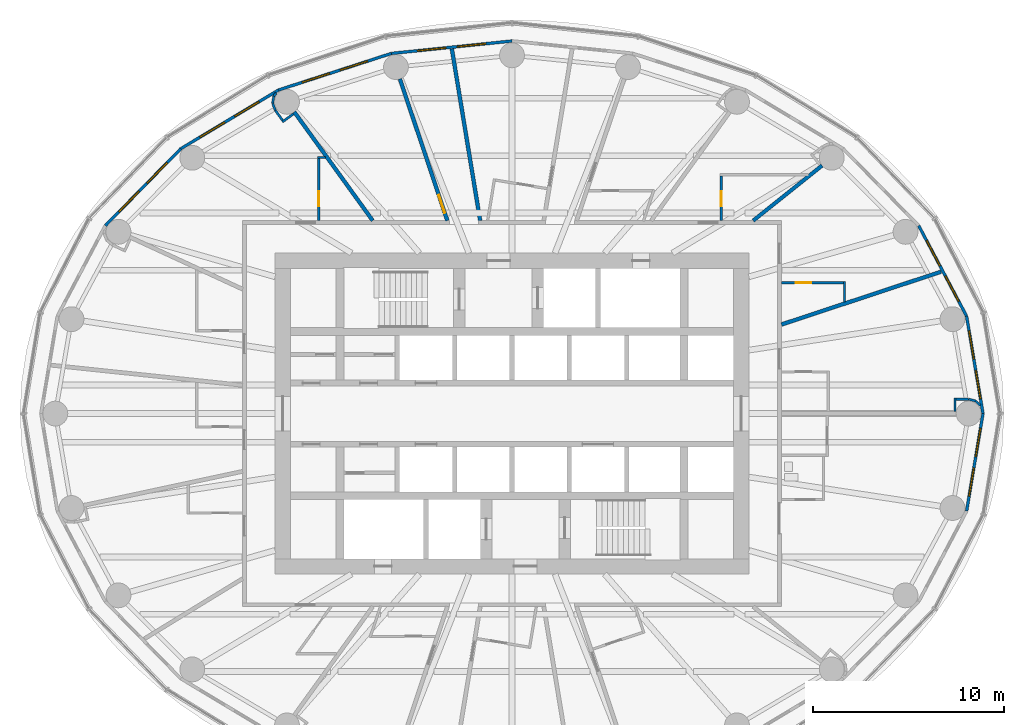
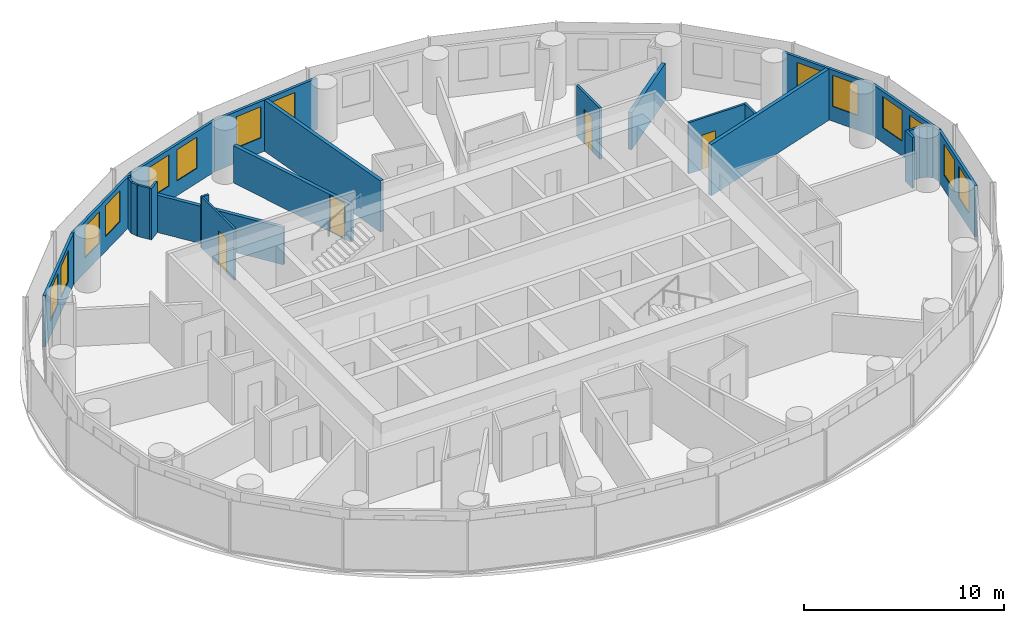
# One storey, part 10 of 13: 26 walls, 14 windows, 4 doors, 18 openings.
"""IFC4 building model written with IfcOpenShell, lengths in metres."""

import ifcopenshell
import ifcopenshell.guid

model = None  # the IFC model being written
_history = None  # IfcOwnerHistory: only IFC2X3 demands one
_inside = {}  # id of a spatial element -> (the spatial element, [elements in it])
_under = {}  # id of a project, library or spatial element -> (it, [spatial elements below it])
_declared = {}  # id of a project -> (the project, [libraries it declares])
_typed = {}  # id of a type object -> (the type object, [elements of that type])
_made_of = {}  # id of a material, layer set ... -> (it, [elements and type objects made of it])


def new_model(schema):
    """Start an empty IFC model of exactly this schema.

    Asked for "IFC4X3", IfcOpenShell would pick the latest addendum, in which some entities
    have other attributes; the version numbers below select the first issue.
    IFC2X3 requires an IfcOwnerHistory on every rooted entity: one is made here for all.
    """
    global model, _history
    if schema == "IFC4X3":
        model = ifcopenshell.file(schema_version=(4, 3, 0, 0))
    else:
        model = ifcopenshell.file(schema=schema)
    _inside.clear()
    _under.clear()
    _declared.clear()
    _typed.clear()
    _made_of.clear()
    _history = None
    if model.schema == "IFC2X3":
        org = make("IfcOrganization", Name="unknown")
        user = make(
            "IfcPersonAndOrganization",
            ThePerson=make("IfcPerson", FamilyName="unknown"),
            TheOrganization=org,
        )
        app = make(
            "IfcApplication",
            ApplicationDeveloper=org,
            Version="unknown",
            ApplicationFullName="unknown",
            ApplicationIdentifier="unknown",
        )
        _history = make(
            "IfcOwnerHistory",
            OwningUser=user,
            OwningApplication=app,
            ChangeAction="ADDED",
            CreationDate=0,
        )
    return model


def make(cls, **values):
    """One entity of the class cls with the attributes given. An attribute that is None is left unset."""
    return model.create_entity(
        cls, **{name: value for name, value in values.items() if value is not None}
    )


def rooted(cls, **values):
    """An entity with a GlobalId (a new one), such as an element, a storey or a relation."""
    return make(cls, GlobalId=ifcopenshell.guid.new(), OwnerHistory=_history, **values)


def si_unit(unit_type, name, prefix=None):
    """IfcSIUnit, for example si_unit("LENGTHUNIT", "METRE", prefix="MILLI")."""
    return make("IfcSIUnit", UnitType=unit_type, Prefix=prefix, Name=name)


def assignment(units):
    """IfcUnitAssignment: the units of a project."""
    return None if units is None else make("IfcUnitAssignment", Units=units)


def point(xyz):
    """IfcCartesianPoint."""
    return None if xyz is None else make("IfcCartesianPoint", Coordinates=xyz)


def direction(xyz):
    """IfcDirection."""
    return None if xyz is None else make("IfcDirection", DirectionRatios=xyz)


def frame(location, z_axis=None, x_axis=None):
    """IfcAxis2Placement3D, a coordinate frame: its origin and axes. An axis left out is left unset."""
    return make(
        "IfcAxis2Placement3D",
        Location=point(location),
        Axis=direction(z_axis),
        RefDirection=direction(x_axis),
    )


def frame_2d(location, x_axis=None):
    """IfcAxis2Placement2D, a coordinate frame in the plane: its origin and x axis."""
    return make(
        "IfcAxis2Placement2D", Location=point(location), RefDirection=direction(x_axis)
    )


def origin():
    """The frame at (0, 0, 0) with its axes left unset."""
    return frame((0.0, 0.0, 0.0))


def place(relative_to, where):
    """IfcLocalPlacement: puts the frame where relative to a parent placement (None: the world)."""
    return make(
        "IfcLocalPlacement", PlacementRelTo=relative_to, RelativePlacement=where
    )


def context(
    kind, dimensions, precision=None, world=None, true_north=None, identifier=None
):
    """IfcGeometricRepresentationContext, for example the 3D "Model" context."""
    return make(
        "IfcGeometricRepresentationContext",
        ContextIdentifier=identifier,
        ContextType=kind,
        CoordinateSpaceDimension=dimensions,
        Precision=precision,
        WorldCoordinateSystem=world,
        TrueNorth=true_north,
    )


def subcontext(parent, identifier, kind, view, scale=None):
    """IfcGeometricRepresentationSubContext, for example "Body" below "Model"."""
    return make(
        "IfcGeometricRepresentationSubContext",
        ContextIdentifier=identifier,
        ContextType=kind,
        ParentContext=parent,
        TargetScale=scale,
        TargetView=view,
    )


def project(units=None, contexts=None):
    """IfcProject with its units and contexts."""
    return rooted(
        "IfcProject",
        Name="project",
        RepresentationContexts=contexts,
        UnitsInContext=assignment(units),
    )


def spatial(cls, under=None, at=None, **own):
    """A site, building, storey or space (cls), placed at a placement, below another one or the project."""
    s = rooted(cls, ObjectPlacement=at, **own)
    if under is not None:
        _under.setdefault(under.id(), (under, []))[1].append(s)
    return s


def profile(cls, at=None, kind="AREA", **sizes):
    """A parametric profile (cls). Its sizes go by their IFC names, for example OverallWidth=200.0."""
    return make(cls, ProfileType=kind, Position=at, **sizes)


def rectangle(**sizes):
    """IfcRectangleProfileDef."""
    return profile("IfcRectangleProfileDef", **sizes)


def extrude(swept, where, along, depth):
    """IfcExtrudedAreaSolid: the profile swept, set in the frame where, extruded along a direction by depth."""
    return make(
        "IfcExtrudedAreaSolid",
        SweptArea=swept,
        Position=where,
        ExtrudedDirection=direction(along),
        Depth=depth,
    )


def shape(context_of_items, identifier, shape_type, items):
    """IfcShapeRepresentation: the items that make up one representation, for example the "Body"."""
    return make(
        "IfcShapeRepresentation",
        ContextOfItems=context_of_items,
        RepresentationIdentifier=identifier,
        RepresentationType=shape_type,
        Items=items,
    )


def material(Name=None, Category=None):
    """IfcMaterial."""
    return make("IfcMaterial", Name=Name, Category=Category)


def layer(
    of_material, thickness, ventilated=None, Name=None, Category=None, Priority=None
):
    """IfcMaterialLayer: one layer of a wall or slab, of a material (None: an air gap)."""
    return make(
        "IfcMaterialLayer",
        Material=of_material,
        LayerThickness=thickness,
        IsVentilated=ventilated,
        Name=Name,
        Category=Category,
        Priority=Priority,
    )


def layer_set(layers, Name=None):
    """IfcMaterialLayerSet."""
    return make("IfcMaterialLayerSet", MaterialLayers=layers, LayerSetName=Name)


def made_of(thing, what):
    """Note that an element or type object is made of a material, layer set ...; save() writes the relation."""
    if what is not None:
        _made_of.setdefault(what.id(), (what, []))[1].append(thing)
    return thing


def type_object(cls, material=None, **own):
    """A type object (cls), such as IfcWallType, which elements share."""
    return made_of(rooted(cls, **own), material)


def element(
    cls,
    number,
    at=None,
    inside=None,
    cuts=None,
    type_object=None,
    material=None,
    context=None,
    identifier="Body",
    shape_type=None,
    held_by="IfcProductDefinitionShape",
    body=None,
    shapes=None,
    **own,
):
    """One element of the class cls, such as IfcWall. Its Tag is "e" and its number.

    at: its placement. inside: the storey or other place that contains it. cuts: it is an
    opening in that element (IfcRelVoidsElement). A single representation is given by context,
    identifier, shape_type and body (its items); several are given by shapes. held_by: the class
    of the entity that holds the representations. save() writes the other relations.
    """
    e = rooted(cls, Tag="e%d" % number, ObjectPlacement=at, **own)
    if body is not None:
        shapes = [shape(context, identifier, shape_type, body)]
    if shapes is not None:
        e.Representation = make(held_by, Representations=shapes)
    if inside is not None:
        _inside.setdefault(inside.id(), (inside, []))[1].append(e)
    if cuts is not None:
        rooted(
            "IfcRelVoidsElement", RelatingBuildingElement=cuts, RelatedOpeningElement=e
        )
    if type_object is not None:
        _typed.setdefault(type_object.id(), (type_object, []))[1].append(e)
    return made_of(e, material)


def fill(opening, filler):
    """IfcRelFillsElement: the door or window that sits in an opening."""
    return rooted(
        "IfcRelFillsElement",
        RelatingOpeningElement=opening,
        RelatedBuildingElement=filler,
    )


def aggregate(whole, parts):
    """IfcRelAggregates: a whole, such as a stair, and the parts it consists of."""
    return rooted("IfcRelAggregates", RelatingObject=whole, RelatedObjects=parts)


def save(model, path):
    """Write the relations noted so far, then the file.

    IfcRelAggregates (storeys below a building ...), IfcRelContainedInSpatialStructure (elements
    in a storey), IfcRelDefinesByType, IfcRelAssociatesMaterial and IfcRelDeclares: one each for
    every whole, place, type object, material and project.
    """
    for whole, parts in _under.values():
        aggregate(whole, parts)
    for where, things in _inside.values():
        rooted(
            "IfcRelContainedInSpatialStructure",
            RelatedElements=things,
            RelatingStructure=where,
        )
    for kind, things in _typed.values():
        rooted("IfcRelDefinesByType", RelatedObjects=things, RelatingType=kind)
    for what, things in _made_of.values():
        rooted("IfcRelAssociatesMaterial", RelatedObjects=things, RelatingMaterial=what)
    for by, libraries in _declared.values():
        rooted("IfcRelDeclares", RelatingContext=by, RelatedDefinitions=libraries)
    model.write(path)


model = new_model("IFC4")

# Units and contexts
model_context = context("Model", 3, precision=1e-05, world=origin(), true_north=direction((0.0, 1.0)))
body_context = subcontext(model_context, "Body", "Model", "MODEL_VIEW")
ifc_project = project(units=[si_unit("LENGTHUNIT", "METRE"), si_unit("AREAUNIT", "SQUARE_METRE"), si_unit("VOLUMEUNIT", "CUBIC_METRE"), si_unit("PLANEANGLEUNIT", "RADIAN"), si_unit("MASSUNIT", "GRAM", prefix="KILO")], contexts=[model_context])

# Site, building, storey
site_placement = place(None, origin())
site = spatial("IfcSite", under=ifc_project, at=site_placement, CompositionType="ELEMENT")
building_placement = place(site_placement, origin())
building = spatial("IfcBuilding", under=site, at=building_placement, Name="Hankou Lantern Tower", CompositionType="ELEMENT")
storey_placement = place(building_placement, frame((0.0, 0.0, 105.60009765625)))
storey = spatial("IfcBuildingStorey", under=building, at=storey_placement, Name="L26", CompositionType="ELEMENT", Elevation=105.60009765625)

# Wall, openings, windows
ifc_material_1 = material(Name="Aluminium spandrel panel on steel studs", Category="steel")
ifc_layer_1 = layer(ifc_material_1, 0.14990234375)
ifc_layer_set_1 = layer_set([ifc_layer_1], Name="Aluminium spandrel panel on steel studs")
wall_type_1 = type_object("IfcWallType", Name="EW1 INNER SKIN WALL 150", PredefinedType="ELEMENTEDWALL", material=ifc_layer_set_1)
wall_1_placement = place(storey_placement, frame((24.64990234375, 0.0, 0.0), z_axis=(0.0, 0.0, 1.0), x_axis=(-0.165883894218, 0.986145290329, 0.0)))
wall_1 = element("IfcWall", 1, at=wall_1_placement, inside=storey, type_object=wall_type_1, Name="Inner skin R01-R02 L26", PredefinedType="ELEMENTEDWALL", context=body_context, shape_type="SweptSolid", body=[
    extrude(rectangle(XDim=5.171630859375, YDim=0.14990234375, at=frame_2d((2.5859375, 0.0))), origin(), (0.0, 0.0, 1.0), 3.119873046875),
])
opening_1_placement = place(wall_1_placement, frame((0.785888671875, 0.0, 0.89990234375)))
opening_1 = element("IfcOpeningElement", 2, at=opening_1_placement, cuts=wall_1, Name="Opening W2", PredefinedType="OPENING", context=body_context, shape_type="SweptSolid", body=[
    extrude(rectangle(XDim=1.5, YDim=1.89990234375, at=frame_2d((0.75, 0.949951171875))), frame((0.0, 0.0849609375, 0.0), z_axis=(0.0, -1.0, 0.0), x_axis=(1.0, 0.0, 0.0)), (0.0, 0.0, 1.0), 0.169921875),
])
opening_2_placement = place(wall_1_placement, frame((2.8857421875, 0.0, 0.89990234375)))
opening_2 = element("IfcOpeningElement", 3, at=opening_2_placement, cuts=wall_1, Name="Opening W2", PredefinedType="OPENING", context=body_context, shape_type="SweptSolid", body=[
    extrude(rectangle(XDim=1.5, YDim=1.89990234375, at=frame_2d((0.75, 0.949951171875))), frame((0.0, 0.0849609375, 0.0), z_axis=(0.0, -1.0, 0.0), x_axis=(1.0, 0.0, 0.0)), (0.0, 0.0, 1.0), 0.169921875),
])
ifc_material_2 = material(Name="Aluminium framed double glazed window", Category="aluminium")
window_type = type_object("IfcWindowType", Name="W2 GUEST ROOM WINDOW 1500X1900", PartitioningType="DOUBLE_PANEL_VERTICAL", PredefinedType="WINDOW", material=ifc_material_2)
window_1_placement = place(opening_1_placement, origin())
window_1 = element("IfcWindow", 4, at=window_1_placement, inside=storey, type_object=window_type, Name="Window R01.1 L26", OverallHeight=1.89990234375, OverallWidth=1.5, PartitioningType="SINGLE_PANEL", PredefinedType="WINDOW", context=body_context, shape_type="SweptSolid", body=[
    extrude(rectangle(XDim=1.5, YDim=1.89990234375, at=frame_2d((0.75, 0.949951171875))), frame((0.0, 0.030029296875, 0.0), z_axis=(0.0, -1.0, 0.0), x_axis=(1.0, 0.0, 0.0)), (0.0, 0.0, 1.0), 0.06005859375),
])
fill(opening_1, window_1)
window_2_placement = place(opening_2_placement, origin())
window_2 = element("IfcWindow", 5, at=window_2_placement, inside=storey, type_object=window_type, Name="Window R01.2 L26", OverallHeight=1.89990234375, OverallWidth=1.5, PartitioningType="SINGLE_PANEL", PredefinedType="WINDOW", context=body_context, shape_type="SweptSolid", body=[
    extrude(rectangle(XDim=1.5, YDim=1.89990234375, at=frame_2d((0.75, 0.949951171875))), frame((0.0, 0.030029296875, 0.0), z_axis=(0.0, -1.0, 0.0), x_axis=(1.0, 0.0, 0.0)), (0.0, 0.0, 1.0), 0.06005859375),
])
fill(opening_2, window_2)

wall_2_placement = place(storey_placement, frame((23.7919921875, 5.10009765625, 0.0), z_axis=(0.0, 0.0, 1.0), x_axis=(-0.467814388454, 0.883826735257, 0.0)))
wall_2 = element("IfcWall", 6, at=wall_2_placement, inside=storey, type_object=wall_type_1, Name="Inner skin R02-R03 L26", PredefinedType="ELEMENTEDWALL", context=body_context, shape_type="SweptSolid", body=[
    extrude(rectangle(XDim=5.35400390625, YDim=0.14990234375, at=frame_2d((2.677001953125, 0.0))), origin(), (0.0, 0.0, 1.0), 3.119873046875),
])
opening_3_placement = place(wall_2_placement, frame((0.876953125, 0.0, 0.89990234375)))
opening_3 = element("IfcOpeningElement", 7, at=opening_3_placement, cuts=wall_2, Name="Opening W2", PredefinedType="OPENING", context=body_context, shape_type="SweptSolid", body=[
    extrude(rectangle(XDim=1.5, YDim=1.89990234375, at=frame_2d((0.75, 0.949951171875))), frame((0.0, 0.0849609375, 0.0), z_axis=(0.0, -1.0, 0.0), x_axis=(1.0, 0.0, 0.0)), (0.0, 0.0, 1.0), 0.169921875),
])
opening_4_placement = place(wall_2_placement, frame((2.97705078125, 0.0, 0.89990234375)))
opening_4 = element("IfcOpeningElement", 8, at=opening_4_placement, cuts=wall_2, Name="Opening W2", PredefinedType="OPENING", context=body_context, shape_type="SweptSolid", body=[
    extrude(rectangle(XDim=1.5, YDim=1.89990234375, at=frame_2d((0.75, 0.949951171875))), frame((0.0, 0.0849609375, 0.0), z_axis=(0.0, -1.0, 0.0), x_axis=(1.0, 0.0, 0.0)), (0.0, 0.0, 1.0), 0.169921875),
])
window_3_placement = place(opening_3_placement, origin())
window_3 = element("IfcWindow", 9, at=window_3_placement, inside=storey, type_object=window_type, Name="Window R02.1 L26", OverallHeight=1.89990234375, OverallWidth=1.5, PartitioningType="SINGLE_PANEL", PredefinedType="WINDOW", context=body_context, shape_type="SweptSolid", body=[
    extrude(rectangle(XDim=1.5, YDim=1.89990234375, at=frame_2d((0.75, 0.949951171875))), frame((0.0, 0.030029296875, 0.0), z_axis=(0.0, -1.0, 0.0), x_axis=(1.0, 0.0, 0.0)), (0.0, 0.0, 1.0), 0.06005859375),
])
fill(opening_3, window_3)
window_4_placement = place(opening_4_placement, origin())
window_4 = element("IfcWindow", 10, at=window_4_placement, inside=storey, type_object=window_type, Name="Window R02.2 L26", OverallHeight=1.89990234375, OverallWidth=1.5, PartitioningType="SINGLE_PANEL", PredefinedType="WINDOW", context=body_context, shape_type="SweptSolid", body=[
    extrude(rectangle(XDim=1.5, YDim=1.89990234375, at=frame_2d((0.75, 0.949951171875))), frame((0.0, 0.030029296875, 0.0), z_axis=(0.0, -1.0, 0.0), x_axis=(1.0, 0.0, 0.0)), (0.0, 0.0, 1.0), 0.06005859375),
])
fill(opening_4, window_4)

wall_3_placement = place(storey_placement, frame((0.0, 19.5, 0.0), z_axis=(0.0, 0.0, 1.0), x_axis=(-0.994735690163, -0.102473931887, 0.0)))
wall_3 = element("IfcWall", 11, at=wall_3_placement, inside=storey, type_object=wall_type_1, Name="Inner skin R07-R08 L26", PredefinedType="ELEMENTEDWALL", context=body_context, shape_type="SweptSolid", body=[
    extrude(rectangle(XDim=6.346923828125, YDim=0.14990234375, at=frame_2d((3.17333984375, 0.0))), origin(), (0.0, 0.0, 1.0), 3.119873046875),
])
opening_5_placement = place(wall_3_placement, frame((1.373291015625, 0.0, 0.89990234375)))
opening_5 = element("IfcOpeningElement", 12, at=opening_5_placement, cuts=wall_3, Name="Opening W2", PredefinedType="OPENING", context=body_context, shape_type="SweptSolid", body=[
    extrude(rectangle(XDim=1.5, YDim=1.89990234375, at=frame_2d((0.75, 0.949951171875))), frame((0.0, 0.0849609375, 0.0), z_axis=(0.0, -1.0, 0.0), x_axis=(1.0, 0.0, 0.0)), (0.0, 0.0, 1.0), 0.169921875),
])
opening_6_placement = place(wall_3_placement, frame((3.473388671875, 0.0, 0.89990234375)))
opening_6 = element("IfcOpeningElement", 13, at=opening_6_placement, cuts=wall_3, Name="Opening W2", PredefinedType="OPENING", context=body_context, shape_type="SweptSolid", body=[
    extrude(rectangle(XDim=1.5, YDim=1.89990234375, at=frame_2d((0.75, 0.949951171875))), frame((0.0, 0.0849609375, 0.0), z_axis=(0.0, -1.0, 0.0), x_axis=(1.0, 0.0, 0.0)), (0.0, 0.0, 1.0), 0.169921875),
])
window_5_placement = place(opening_5_placement, origin())
window_5 = element("IfcWindow", 14, at=window_5_placement, inside=storey, type_object=window_type, Name="Window R07.1 L26", OverallHeight=1.89990234375, OverallWidth=1.5, PartitioningType="SINGLE_PANEL", PredefinedType="WINDOW", context=body_context, shape_type="SweptSolid", body=[
    extrude(rectangle(XDim=1.5, YDim=1.89990234375, at=frame_2d((0.75, 0.949951171875))), frame((0.0, 0.030029296875, 0.0), z_axis=(0.0, -1.0, 0.0), x_axis=(1.0, 0.0, 0.0)), (0.0, 0.0, 1.0), 0.06005859375),
])
fill(opening_5, window_5)
window_6_placement = place(opening_6_placement, origin())
window_6 = element("IfcWindow", 15, at=window_6_placement, inside=storey, type_object=window_type, Name="Window R07.2 L26", OverallHeight=1.89990234375, OverallWidth=1.5, PartitioningType="SINGLE_PANEL", PredefinedType="WINDOW", context=body_context, shape_type="SweptSolid", body=[
    extrude(rectangle(XDim=1.5, YDim=1.89990234375, at=frame_2d((0.75, 0.949951171875))), frame((0.0, 0.030029296875, 0.0), z_axis=(0.0, -1.0, 0.0), x_axis=(1.0, 0.0, 0.0)), (0.0, 0.0, 1.0), 0.06005859375),
])
fill(opening_6, window_6)

wall_4_placement = place(storey_placement, frame((-6.3134765625, 18.849609375, 0.0), z_axis=(0.0, 0.0, 1.0), x_axis=(-0.951272691506, -0.308350881944, 0.0)))
wall_4 = element("IfcWall", 16, at=wall_4_placement, inside=storey, type_object=wall_type_1, Name="Inner skin R08-R09 L26", PredefinedType="ELEMENTEDWALL", context=body_context, shape_type="SweptSolid", body=[
    extrude(rectangle(XDim=6.210693359375, YDim=0.14990234375, at=frame_2d((3.10546875, 0.0))), origin(), (0.0, 0.0, 1.0), 3.119873046875),
])
opening_7_placement = place(wall_4_placement, frame((1.305419921875, 0.0, 0.89990234375)))
opening_7 = element("IfcOpeningElement", 17, at=opening_7_placement, cuts=wall_4, Name="Opening W2", PredefinedType="OPENING", context=body_context, shape_type="SweptSolid", body=[
    extrude(rectangle(XDim=1.5, YDim=1.89990234375, at=frame_2d((0.75, 0.949951171875))), frame((0.0, 0.0849609375, 0.0), z_axis=(0.0, -1.0, 0.0), x_axis=(1.0, 0.0, 0.0)), (0.0, 0.0, 1.0), 0.169921875),
])
opening_8_placement = place(wall_4_placement, frame((3.4052734375, 0.0, 0.89990234375)))
opening_8 = element("IfcOpeningElement", 18, at=opening_8_placement, cuts=wall_4, Name="Opening W2", PredefinedType="OPENING", context=body_context, shape_type="SweptSolid", body=[
    extrude(rectangle(XDim=1.5, YDim=1.89990234375, at=frame_2d((0.75, 0.949951171875))), frame((0.0, 0.0849609375, 0.0), z_axis=(0.0, -1.0, 0.0), x_axis=(1.0, 0.0, 0.0)), (0.0, 0.0, 1.0), 0.169921875),
])
window_7_placement = place(opening_7_placement, origin())
window_7 = element("IfcWindow", 19, at=window_7_placement, inside=storey, type_object=window_type, Name="Window R08.1 L26", OverallHeight=1.89990234375, OverallWidth=1.5, PartitioningType="SINGLE_PANEL", PredefinedType="WINDOW", context=body_context, shape_type="SweptSolid", body=[
    extrude(rectangle(XDim=1.5, YDim=1.89990234375, at=frame_2d((0.75, 0.949951171875))), frame((0.0, 0.030029296875, 0.0), z_axis=(0.0, -1.0, 0.0), x_axis=(1.0, 0.0, 0.0)), (0.0, 0.0, 1.0), 0.06005859375),
])
fill(opening_7, window_7)
window_8_placement = place(opening_8_placement, origin())
window_8 = element("IfcWindow", 20, at=window_8_placement, inside=storey, type_object=window_type, Name="Window R08.2 L26", OverallHeight=1.89990234375, OverallWidth=1.5, PartitioningType="SINGLE_PANEL", PredefinedType="WINDOW", context=body_context, shape_type="SweptSolid", body=[
    extrude(rectangle(XDim=1.5, YDim=1.89990234375, at=frame_2d((0.75, 0.949951171875))), frame((0.0, 0.030029296875, 0.0), z_axis=(0.0, -1.0, 0.0), x_axis=(1.0, 0.0, 0.0)), (0.0, 0.0, 1.0), 0.06005859375),
])
fill(opening_8, window_8)

wall_5_placement = place(storey_placement, frame((-12.221435546875, 16.9345703125, 0.0), z_axis=(0.0, 0.0, 1.0), x_axis=(-0.857308573723, -0.514802884044, 0.0)))
wall_5 = element("IfcWall", 21, at=wall_5_placement, inside=storey, type_object=wall_type_1, Name="Inner skin R09-R10 L26", PredefinedType="ELEMENTEDWALL", context=body_context, shape_type="SweptSolid", body=[
    extrude(rectangle(XDim=5.961181640625, YDim=0.14990234375, at=frame_2d((2.98046875, 0.0))), origin(), (0.0, 0.0, 1.0), 3.119873046875),
])
opening_9_placement = place(wall_5_placement, frame((1.1806640625, 0.0, 0.89990234375)))
opening_9 = element("IfcOpeningElement", 22, at=opening_9_placement, cuts=wall_5, Name="Opening W2", PredefinedType="OPENING", context=body_context, shape_type="SweptSolid", body=[
    extrude(rectangle(XDim=1.5, YDim=1.89990234375, at=frame_2d((0.75, 0.949951171875))), frame((0.0, 0.0849609375, 0.0), z_axis=(0.0, -1.0, 0.0), x_axis=(1.0, 0.0, 0.0)), (0.0, 0.0, 1.0), 0.169921875),
])
opening_10_placement = place(wall_5_placement, frame((3.280517578125, 0.0, 0.89990234375)))
opening_10 = element("IfcOpeningElement", 23, at=opening_10_placement, cuts=wall_5, Name="Opening W2", PredefinedType="OPENING", context=body_context, shape_type="SweptSolid", body=[
    extrude(rectangle(XDim=1.5, YDim=1.89990234375, at=frame_2d((0.75, 0.949951171875))), frame((0.0, 0.0849609375, 0.0), z_axis=(0.0, -1.0, 0.0), x_axis=(1.0, 0.0, 0.0)), (0.0, 0.0, 1.0), 0.169921875),
])
window_9_placement = place(opening_9_placement, origin())
window_9 = element("IfcWindow", 24, at=window_9_placement, inside=storey, type_object=window_type, Name="Window R09.1 L26", OverallHeight=1.89990234375, OverallWidth=1.5, PartitioningType="SINGLE_PANEL", PredefinedType="WINDOW", context=body_context, shape_type="SweptSolid", body=[
    extrude(rectangle(XDim=1.5, YDim=1.89990234375, at=frame_2d((0.75, 0.949951171875))), frame((0.0, 0.030029296875, 0.0), z_axis=(0.0, -1.0, 0.0), x_axis=(1.0, 0.0, 0.0)), (0.0, 0.0, 1.0), 0.06005859375),
])
fill(opening_9, window_9)
window_10_placement = place(opening_10_placement, origin())
window_10 = element("IfcWindow", 25, at=window_10_placement, inside=storey, type_object=window_type, Name="Window R09.2 L26", OverallHeight=1.89990234375, OverallWidth=1.5, PartitioningType="SINGLE_PANEL", PredefinedType="WINDOW", context=body_context, shape_type="SweptSolid", body=[
    extrude(rectangle(XDim=1.5, YDim=1.89990234375, at=frame_2d((0.75, 0.949951171875))), frame((0.0, 0.030029296875, 0.0), z_axis=(0.0, -1.0, 0.0), x_axis=(1.0, 0.0, 0.0)), (0.0, 0.0, 1.0), 0.06005859375),
])
fill(opening_10, window_10)

wall_6_placement = place(storey_placement, frame((-17.33203125, 13.86572265625, 0.0), z_axis=(0.0, 0.0, 1.0), x_axis=(-0.700136650834, -0.714008872605, 0.0)))
wall_6 = element("IfcWall", 26, at=wall_6_placement, inside=storey, type_object=wall_type_1, Name="Inner skin R10-R11 L26", PredefinedType="ELEMENTEDWALL", context=body_context, shape_type="SweptSolid", body=[
    extrude(rectangle(XDim=5.6494140625, YDim=0.14990234375, at=frame_2d((2.82470703125, 0.0))), origin(), (0.0, 0.0, 1.0), 3.119873046875),
])
opening_11_placement = place(wall_6_placement, frame((1.024658203125, 0.0, 0.89990234375)))
opening_11 = element("IfcOpeningElement", 27, at=opening_11_placement, cuts=wall_6, Name="Opening W2", PredefinedType="OPENING", context=body_context, shape_type="SweptSolid", body=[
    extrude(rectangle(XDim=1.5, YDim=1.89990234375, at=frame_2d((0.75, 0.949951171875))), frame((0.0, 0.0849609375, 0.0), z_axis=(0.0, -1.0, 0.0), x_axis=(1.0, 0.0, 0.0)), (0.0, 0.0, 1.0), 0.169921875),
])
opening_12_placement = place(wall_6_placement, frame((3.12451171875, 0.0, 0.89990234375)))
opening_12 = element("IfcOpeningElement", 28, at=opening_12_placement, cuts=wall_6, Name="Opening W2", PredefinedType="OPENING", context=body_context, shape_type="SweptSolid", body=[
    extrude(rectangle(XDim=1.5, YDim=1.89990234375, at=frame_2d((0.75, 0.949951171875))), frame((0.0, 0.0849609375, 0.0), z_axis=(0.0, -1.0, 0.0), x_axis=(1.0, 0.0, 0.0)), (0.0, 0.0, 1.0), 0.169921875),
])
window_11_placement = place(opening_11_placement, origin())
window_11 = element("IfcWindow", 29, at=window_11_placement, inside=storey, type_object=window_type, Name="Window R10.1 L26", OverallHeight=1.89990234375, OverallWidth=1.5, PartitioningType="SINGLE_PANEL", PredefinedType="WINDOW", context=body_context, shape_type="SweptSolid", body=[
    extrude(rectangle(XDim=1.5, YDim=1.89990234375, at=frame_2d((0.75, 0.949951171875))), frame((0.0, 0.030029296875, 0.0), z_axis=(0.0, -1.0, 0.0), x_axis=(1.0, 0.0, 0.0)), (0.0, 0.0, 1.0), 0.06005859375),
])
fill(opening_11, window_11)
window_12_placement = place(opening_12_placement, origin())
window_12 = element("IfcWindow", 30, at=window_12_placement, inside=storey, type_object=window_type, Name="Window R10.2 L26", OverallHeight=1.89990234375, OverallWidth=1.5, PartitioningType="SINGLE_PANEL", PredefinedType="WINDOW", context=body_context, shape_type="SweptSolid", body=[
    extrude(rectangle(XDim=1.5, YDim=1.89990234375, at=frame_2d((0.75, 0.949951171875))), frame((0.0, 0.030029296875, 0.0), z_axis=(0.0, -1.0, 0.0), x_axis=(1.0, 0.0, 0.0)), (0.0, 0.0, 1.0), 0.06005859375),
])
fill(opening_12, window_12)

wall_7_placement = place(storey_placement, frame((23.7919921875, -5.10009765625, 0.0), z_axis=(0.0, 0.0, 1.0), x_axis=(0.165883894218, 0.986145290329, 0.0)))
wall_7 = element("IfcWall", 31, at=wall_7_placement, inside=storey, type_object=wall_type_1, Name="Inner skin R24-R01 L26", PredefinedType="ELEMENTEDWALL", context=body_context, shape_type="SweptSolid", body=[
    extrude(rectangle(XDim=5.171630859375, YDim=0.14990234375, at=frame_2d((2.5859375, 0.0))), origin(), (0.0, 0.0, 1.0), 3.119873046875),
])
opening_13_placement = place(wall_7_placement, frame((0.785888671875, 0.0, 0.89990234375)))
opening_13 = element("IfcOpeningElement", 32, at=opening_13_placement, cuts=wall_7, Name="Opening W2", PredefinedType="OPENING", context=body_context, shape_type="SweptSolid", body=[
    extrude(rectangle(XDim=1.5, YDim=1.89990234375, at=frame_2d((0.75, 0.949951171875))), frame((0.0, 0.0849609375, 0.0), z_axis=(0.0, -1.0, 0.0), x_axis=(1.0, 0.0, 0.0)), (0.0, 0.0, 1.0), 0.169921875),
])
opening_14_placement = place(wall_7_placement, frame((2.8857421875, 0.0, 0.89990234375)))
opening_14 = element("IfcOpeningElement", 33, at=opening_14_placement, cuts=wall_7, Name="Opening W2", PredefinedType="OPENING", context=body_context, shape_type="SweptSolid", body=[
    extrude(rectangle(XDim=1.5, YDim=1.89990234375, at=frame_2d((0.75, 0.949951171875))), frame((0.0, 0.0849609375, 0.0), z_axis=(0.0, -1.0, 0.0), x_axis=(1.0, 0.0, 0.0)), (0.0, 0.0, 1.0), 0.169921875),
])
window_13_placement = place(opening_13_placement, origin())
window_13 = element("IfcWindow", 34, at=window_13_placement, inside=storey, type_object=window_type, Name="Window R24.1 L26", OverallHeight=1.89990234375, OverallWidth=1.5, PartitioningType="SINGLE_PANEL", PredefinedType="WINDOW", context=body_context, shape_type="SweptSolid", body=[
    extrude(rectangle(XDim=1.5, YDim=1.89990234375, at=frame_2d((0.75, 0.949951171875))), frame((0.0, 0.030029296875, 0.0), z_axis=(0.0, -1.0, 0.0), x_axis=(1.0, 0.0, 0.0)), (0.0, 0.0, 1.0), 0.06005859375),
])
fill(opening_13, window_13)
window_14_placement = place(opening_14_placement, origin())
window_14 = element("IfcWindow", 35, at=window_14_placement, inside=storey, type_object=window_type, Name="Window R24.2 L26", OverallHeight=1.89990234375, OverallWidth=1.5, PartitioningType="SINGLE_PANEL", PredefinedType="WINDOW", context=body_context, shape_type="SweptSolid", body=[
    extrude(rectangle(XDim=1.5, YDim=1.89990234375, at=frame_2d((0.75, 0.949951171875))), frame((0.0, 0.030029296875, 0.0), z_axis=(0.0, -1.0, 0.0), x_axis=(1.0, 0.0, 0.0)), (0.0, 0.0, 1.0), 0.06005859375),
])
fill(opening_14, window_14)

# Walls
ifc_material_3 = material(Name="Masonry lightweight concrete block", Category="masonry")
ifc_layer_2 = layer(ifc_material_3, 0.199951171875)
ifc_layer_set_2 = layer_set([ifc_layer_2], Name="Masonry lightweight concrete block")
wall_type_2 = type_object("IfcWallType", Name="IW1 GUEST ROOM PARTY WALL 200", PredefinedType="PARTITIONING", material=ifc_layer_set_2)
wall_8_placement = place(storey_placement, frame((14.10009765625, 4.662353515625, 0.0), z_axis=(0.0, 0.0, 1.0), x_axis=(0.949446466373, 0.313928984789, 0.0)))
element("IfcWall", 36, at=wall_8_placement, inside=storey, type_object=wall_type_2, Name="Party wall R02-R03", PredefinedType="PARTITIONING", context=body_context, shape_type="SweptSolid", body=[
    extrude(rectangle(XDim=8.79736328125, YDim=0.199951171875, at=frame_2d((4.398681640625, 0.0))), origin(), (0.0, 0.0, 1.0), 3.119873046875),
])
wall_9_placement = place(storey_placement, frame((12.625, 10.10009765625, 0.0), z_axis=(0.0, 0.0, 1.0), x_axis=(0.780863644897, 0.624701503182, 0.0)))
element("IfcWall", 37, at=wall_9_placement, inside=storey, type_object=wall_type_2, Name="Party wall R04", PredefinedType="PARTITIONING", context=body_context, shape_type="SweptSolid", body=[
    extrude(rectangle(XDim=4.612060546875, YDim=0.199951171875, at=frame_2d((2.30615234375, 0.0))), origin(), (0.0, 0.0, 1.0), 2.27001953125),
])
ifc_material_4 = material(Name="Masonry lightweight concrete block", Category="masonry")
ifc_layer_3 = layer(ifc_material_4, 0.199951171875)
ifc_layer_set_3 = layer_set([ifc_layer_3], Name="Masonry lightweight concrete block")
wall_type_3 = type_object("IfcWallType", Name="IW2 CORRIDOR WALL 200", PredefinedType="PARTITIONING", material=ifc_layer_set_3)
wall_10_placement = place(storey_placement, frame((-1.665283203125, 10.10009765625, 0.0), z_axis=(0.0, 0.0, 1.0), x_axis=(-0.162660519103, 0.986682094459, 0.0)))
element("IfcWall", 38, at=wall_10_placement, inside=storey, type_object=wall_type_3, Name="Corridor spur wall R07-R08", PredefinedType="PARTITIONING", context=body_context, shape_type="SweptSolid", body=[
    extrude(rectangle(XDim=9.110595703125, YDim=0.199951171875, at=frame_2d((4.55517578125, 0.0))), origin(), (0.0, 0.0, 1.0), 3.119873046875),
])

# Wall, opening, door
wall_11_placement = place(storey_placement, frame((-3.3828125, 10.10009765625, 0.0), z_axis=(0.0, 0.0, 1.0), x_axis=(-0.317603705574, 0.948223542318, 0.0)))
wall_11 = element("IfcWall", 39, at=wall_11_placement, inside=storey, type_object=wall_type_3, Name="Corridor spur wall R08", PredefinedType="PARTITIONING", context=body_context, shape_type="SweptSolid", body=[
    extrude(rectangle(XDim=7.822998046875, YDim=0.199951171875, at=frame_2d((3.91162109375, 0.0))), origin(), (0.0, 0.0, 1.0), 2.27001953125),
])
opening_15_placement = place(wall_11_placement, frame((0.419921875, 0.0, 0.0)))
opening_15 = element("IfcOpeningElement", 40, at=opening_15_placement, cuts=wall_11, Name="Opening D13", PredefinedType="OPENING", context=body_context, shape_type="SweptSolid", body=[
    extrude(rectangle(XDim=1.0, YDim=2.199951171875, at=frame_2d((0.5, 1.10009765625))), frame((0.0, 0.10986328125, 0.0), z_axis=(0.0, -1.0, 0.0), x_axis=(1.0, 0.0, 0.0)), (0.0, 0.0, 1.0), 0.219970703125),
])
ifc_material_5 = material(Name="Timber door leaf", Category="wood")
door_type_1 = type_object("IfcDoorType", Name="D13 ROOM DOOR 1000X2200", OperationType="SINGLE_SWING_LEFT", PredefinedType="DOOR", material=ifc_material_5)
door_1_placement = place(opening_15_placement, origin())
door_1 = element("IfcDoor", 41, at=door_1_placement, inside=storey, type_object=door_type_1, Name="Room door 2604", OperationType="SINGLE_SWING_LEFT", OverallHeight=2.199951171875, OverallWidth=1.0, PredefinedType="DOOR", context=body_context, shape_type="SweptSolid", body=[
    extrude(rectangle(XDim=1.0, YDim=2.199951171875, at=frame_2d((0.5, 1.10009765625))), frame((0.0, 0.02490234375, 0.0), z_axis=(0.0, -1.0, 0.0), x_axis=(1.0, 0.0, 0.0)), (0.0, 0.0, 1.0), 0.050048828125),
])
fill(opening_15, door_1)

# Wall
ifc_material_6 = material(Name="Masonry lightweight concrete block", Category="masonry")
ifc_layer_4 = layer(ifc_material_6, 0.1201171875)
ifc_layer_set_4 = layer_set([ifc_layer_4], Name="Masonry lightweight concrete block")
wall_type_4 = type_object("IfcWallType", Name="IW3 BATHROOM WALL 120", PredefinedType="PARTITIONING", material=ifc_layer_set_4)
wall_12_placement = place(storey_placement, frame((-9.7705078125, 13.39990234375, 0.0), z_axis=(0.0, 0.0, 1.0), x_axis=(-1.0, 0.0, 0.0)))
element("IfcWall", 42, at=wall_12_placement, inside=storey, type_object=wall_type_4, Name="Box wall 2605 1", PredefinedType="PARTITIONING", context=body_context, shape_type="SweptSolid", body=[
    extrude(rectangle(XDim=0.408447265625, YDim=0.1201171875, at=frame_2d((0.2041015625, 0.0))), origin(), (0.0, 0.0, 1.0), 3.119873046875),
])

# Wall, opening, door
wall_13_placement = place(storey_placement, frame((-10.119140625, 10.10009765625, 0.0), z_axis=(0.0, 0.0, 1.0), x_axis=(0.0, 1.0, 0.0)))
wall_13 = element("IfcWall", 43, at=wall_13_placement, inside=storey, type_object=wall_type_4, Name="Box wall 2605 1", PredefinedType="PARTITIONING", context=body_context, shape_type="SweptSolid", body=[
    extrude(rectangle(XDim=3.239990234375, YDim=0.1201171875, at=frame_2d((1.6201171875, 0.0))), origin(), (0.0, 0.0, 1.0), 3.119873046875),
])
opening_16_placement = place(wall_13_placement, frame((0.75, 0.0, 0.0)))
opening_16 = element("IfcOpeningElement", 44, at=opening_16_placement, cuts=wall_13, Name="Opening D3", PredefinedType="OPENING", context=body_context, shape_type="SweptSolid", body=[
    extrude(rectangle(XDim=0.800048828125, YDim=2.10009765625, at=frame_2d((0.39990234375, 1.050048828125))), frame((0.0, 0.070068359375, 0.0), z_axis=(0.0, -1.0, 0.0), x_axis=(1.0, 0.0, 0.0)), (0.0, 0.0, 1.0), 0.14013671875),
])
ifc_material_7 = material(Name="Timber door leaf", Category="wood")
door_type_2 = type_object("IfcDoorType", Name="D3 BATHROOM DOOR 800X2100", OperationType="SINGLE_SWING_LEFT", PredefinedType="DOOR", material=ifc_material_7)
door_2_placement = place(opening_16_placement, origin())
door_2 = element("IfcDoor", 45, at=door_2_placement, inside=storey, type_object=door_type_2, Name="Junior suite 2605 bathroom door", OperationType="SINGLE_SWING_LEFT", OverallHeight=2.10009765625, OverallWidth=0.800048828125, PredefinedType="DOOR", context=body_context, shape_type="SweptSolid", body=[
    extrude(rectangle(XDim=0.800048828125, YDim=2.10009765625, at=frame_2d((0.39990234375, 1.050048828125))), frame((0.0, 0.02490234375, 0.0), z_axis=(0.0, -1.0, 0.0), x_axis=(1.0, 0.0, 0.0)), (0.0, 0.0, 1.0), 0.050048828125),
])
fill(opening_16, door_2)

# Wall
wall_14_placement = place(storey_placement, frame((17.39990234375, 5.853515625, 0.0), z_axis=(0.0, 0.0, 1.0), x_axis=(0.0, 1.0, 0.0)))
element("IfcWall", 46, at=wall_14_placement, inside=storey, type_object=wall_type_4, Name="Box wall 2617 1", PredefinedType="PARTITIONING", context=body_context, shape_type="SweptSolid", body=[
    extrude(rectangle(XDim=1.048828125, YDim=0.1201171875, at=frame_2d((0.5244140625, 0.0))), origin(), (0.0, 0.0, 1.0), 3.119873046875),
])

# Wall, opening, door
wall_15_placement = place(storey_placement, frame((14.10009765625, 6.84228515625, 0.0), z_axis=(0.0, 0.0, 1.0), x_axis=(1.0, 0.0, 0.0)))
wall_15 = element("IfcWall", 47, at=wall_15_placement, inside=storey, type_object=wall_type_4, Name="Box wall 2617 1", PredefinedType="PARTITIONING", context=body_context, shape_type="SweptSolid", body=[
    extrude(rectangle(XDim=3.239990234375, YDim=0.1201171875, at=frame_2d((1.6201171875, 0.0))), origin(), (0.0, 0.0, 1.0), 3.119873046875),
])
opening_17_placement = place(wall_15_placement, frame((0.75, 0.0, 0.0)))
opening_17 = element("IfcOpeningElement", 48, at=opening_17_placement, cuts=wall_15, Name="Opening D3", PredefinedType="OPENING", context=body_context, shape_type="SweptSolid", body=[
    extrude(rectangle(XDim=0.800048828125, YDim=2.10009765625, at=frame_2d((0.39990234375, 1.050048828125))), frame((0.0, 0.070068359375, 0.0), z_axis=(0.0, -1.0, 0.0), x_axis=(1.0, 0.0, 0.0)), (0.0, 0.0, 1.0), 0.14013671875),
])
door_3_placement = place(opening_17_placement, origin())
door_3 = element("IfcDoor", 49, at=door_3_placement, inside=storey, type_object=door_type_2, Name="En-suite bathroom 2617 door", OperationType="SINGLE_SWING_LEFT", OverallHeight=2.10009765625, OverallWidth=0.800048828125, PredefinedType="DOOR", context=body_context, shape_type="SweptSolid", body=[
    extrude(rectangle(XDim=0.800048828125, YDim=2.10009765625, at=frame_2d((0.39990234375, 1.050048828125))), frame((0.0, 0.02490234375, 0.0), z_axis=(0.0, -1.0, 0.0), x_axis=(1.0, 0.0, 0.0)), (0.0, 0.0, 1.0), 0.050048828125),
])
fill(opening_17, door_3)

wall_16_placement = place(storey_placement, frame((10.945068359375, 10.10009765625, 0.0), z_axis=(0.0, 0.0, 1.0), x_axis=(0.0, 1.0, 0.0)))
wall_16 = element("IfcWall", 50, at=wall_16_placement, inside=storey, type_object=wall_type_4, Name="Box wall 2618 1", PredefinedType="PARTITIONING", context=body_context, shape_type="SweptSolid", body=[
    extrude(rectangle(XDim=2.33984375, YDim=0.1201171875, at=frame_2d((1.169921875, 0.0))), origin(), (0.0, 0.0, 1.0), 3.119873046875),
])
opening_18_placement = place(wall_16_placement, frame((0.75, 0.0, 0.0)))
opening_18 = element("IfcOpeningElement", 51, at=opening_18_placement, cuts=wall_16, Name="Opening D3", PredefinedType="OPENING", context=body_context, shape_type="SweptSolid", body=[
    extrude(rectangle(XDim=0.800048828125, YDim=2.10009765625, at=frame_2d((0.39990234375, 1.050048828125))), frame((0.0, 0.070068359375, 0.0), z_axis=(0.0, -1.0, 0.0), x_axis=(1.0, 0.0, 0.0)), (0.0, 0.0, 1.0), 0.14013671875),
])
door_4_placement = place(opening_18_placement, origin())
door_4 = element("IfcDoor", 52, at=door_4_placement, inside=storey, type_object=door_type_2, Name="En-suite bathroom 2618 door", OperationType="SINGLE_SWING_LEFT", OverallHeight=2.10009765625, OverallWidth=0.800048828125, PredefinedType="DOOR", context=body_context, shape_type="SweptSolid", body=[
    extrude(rectangle(XDim=0.800048828125, YDim=2.10009765625, at=frame_2d((0.39990234375, 1.050048828125))), frame((0.0, 0.02490234375, 0.0), z_axis=(0.0, -1.0, 0.0), x_axis=(1.0, 0.0, 0.0)), (0.0, 0.0, 1.0), 0.050048828125),
])
fill(opening_18, door_4)

# Walls
ifc_material_8 = material(Name="Masonry lightweight concrete block", Category="masonry")
ifc_layer_5 = layer(ifc_material_8, 0.1201171875)
ifc_layer_set_5 = layer_set([ifc_layer_5], Name="Masonry lightweight concrete block")
wall_type_5 = type_object("IfcWallType", Name="IW4 PARTITION 120", PredefinedType="PARTITIONING", material=ifc_layer_set_5)
wall_17_placement = place(storey_placement, frame((23.18994140625, 0.10009765625, 0.0), z_axis=(0.0, 0.0, 1.0), x_axis=(0.0, 1.0, 0.0)))
element("IfcWall", 53, at=wall_17_placement, inside=storey, type_object=wall_type_5, Name="Column casing R01 return", PredefinedType="PARTITIONING", context=body_context, shape_type="SweptSolid", body=[
    extrude(rectangle(XDim=0.715576171875, YDim=0.1201171875, at=frame_2d((0.35791015625, 0.0))), origin(), (0.0, 0.0, 1.0), 3.119873046875),
])
wall_18_placement = place(storey_placement, frame((23.25, 0.755859375, 0.0), z_axis=(0.0, 0.0, 1.0), x_axis=(1.0, 0.0, 0.0)))
element("IfcWall", 54, at=wall_18_placement, inside=storey, type_object=wall_type_5, Name="Column casing R01", PredefinedType="PARTITIONING", context=body_context, shape_type="SweptSolid", body=[
    extrude(rectangle(XDim=0.64990234375, YDim=0.1201171875, at=frame_2d((0.324951171875, 0.0))), origin(), (0.0, 0.0, 1.0), 3.119873046875),
])
wall_19_placement = place(storey_placement, frame((23.89990234375, 0.755859375, 0.0), z_axis=(0.0, 0.0, 1.0), x_axis=(0.965892334856, -0.2589440045, 0.0)))
element("IfcWall", 55, at=wall_19_placement, inside=storey, type_object=wall_type_5, Name="Column casing R01", PredefinedType="PARTITIONING", context=body_context, shape_type="SweptSolid", body=[
    extrude(rectangle(XDim=0.391357421875, YDim=0.1201171875, at=frame_2d((0.19580078125, 0.0))), origin(), (0.0, 0.0, 1.0), 3.119873046875),
])
wall_20_placement = place(storey_placement, frame((24.27783203125, 0.654541015625, 0.0), z_axis=(0.0, 0.0, 1.0), x_axis=(0.707106781187, -0.707106781187, 0.0)))
element("IfcWall", 56, at=wall_20_placement, inside=storey, type_object=wall_type_5, Name="Column casing R01", PredefinedType="PARTITIONING", context=body_context, shape_type="SweptSolid", body=[
    extrude(rectangle(XDim=0.317626953125, YDim=0.1201171875, at=frame_2d((0.15869140625, 0.0))), origin(), (0.0, 0.0, 1.0), 3.119873046875),
])
wall_21_placement = place(storey_placement, frame((-11.44091796875, 15.68212890625, 0.0), z_axis=(0.0, 0.0, 1.0), x_axis=(-0.810796141244, -0.585328640461, 0.0)))
element("IfcWall", 57, at=wall_21_placement, inside=storey, type_object=wall_type_5, Name="Column casing R09 return", PredefinedType="PARTITIONING", context=body_context, shape_type="SweptSolid", body=[
    extrude(rectangle(XDim=0.7158203125, YDim=0.1201171875, at=frame_2d((0.35791015625, 0.0))), origin(), (0.0, 0.0, 1.0), 3.119873046875),
])
wall_22_placement = place(storey_placement, frame((-12.0078125, 15.346923828125, 0.0), z_axis=(0.0, 0.0, 1.0), x_axis=(-0.585175102182, 0.810906961239, 0.0)))
element("IfcWall", 58, at=wall_22_placement, inside=storey, type_object=wall_type_5, Name="Column casing R09", PredefinedType="PARTITIONING", context=body_context, shape_type="SweptSolid", body=[
    extrude(rectangle(XDim=0.64990234375, YDim=0.1201171875, at=frame_2d((0.324951171875, 0.0))), origin(), (0.0, 0.0, 1.0), 3.119873046875),
])
for number, where, z_axis, x_axis, name in (
    (59, (-12.38818359375, 15.8740234375, 0.0), (0.0, 0.0, 1.0), (-0.355086882425, 0.934833303819, 0.0), "Column casing R09"),
    (60, (-12.527099609375, 16.23974609375, 0.0), (0.0, 0.0, 1.0), (0.159134335894, 0.987256938765, 0.0), "Column casing R09"),
):
    element("IfcWall", number, at=place(storey_placement, frame(where, z_axis=z_axis, x_axis=x_axis)), inside=storey, type_object=wall_type_5, Name=name, PredefinedType="PARTITIONING", context=body_context, shape_type="SweptSolid", body=[
        extrude(rectangle(XDim=0.39111328125, YDim=0.1201171875, at=frame_2d((0.195556640625, 0.0))), origin(), (0.0, 0.0, 1.0), 3.119873046875),
    ])
wall_23_placement = place(storey_placement, frame((-12.46484375, 16.6259765625, 0.0), z_axis=(0.0, 0.0, 1.0), x_axis=(0.631672951162, 0.775234985517, 0.0)))
element("IfcWall", 61, at=wall_23_placement, inside=storey, type_object=wall_type_5, Name="Column casing R09", PredefinedType="PARTITIONING", context=body_context, shape_type="SweptSolid", body=[
    extrude(rectangle(XDim=0.18701171875, YDim=0.1201171875, at=frame_2d((0.093505859375, 0.0))), origin(), (0.0, 0.0, 1.0), 3.119873046875),
])
ifc_material_9 = material(Name="Masonry lightweight concrete block", Category="masonry")
ifc_layer_6 = layer(ifc_material_9, 0.199951171875)
ifc_layer_set_6 = layer_set([ifc_layer_6], Name="Masonry lightweight concrete block")
wall_type_6 = type_object("IfcWallType", Name="IW8 PARTITION 200", PredefinedType="PARTITIONING", material=ifc_layer_set_6)
wall_24_placement = place(storey_placement, frame((-7.2890625, 10.10009765625, 0.0), z_axis=(0.0, 0.0, 1.0), x_axis=(-0.585217367024, 0.81087645997, 0.0)))
element("IfcWall", 62, at=wall_24_placement, inside=storey, type_object=wall_type_6, Name="Partition R09", PredefinedType="PARTITIONING", context=body_context, shape_type="SweptSolid", body=[
    extrude(rectangle(XDim=7.01611328125, YDim=0.199951171875, at=frame_2d((3.508056640625, 0.0))), origin(), (0.0, 0.0, 1.0), 2.27001953125),
])

save(model, "model.ifc")
